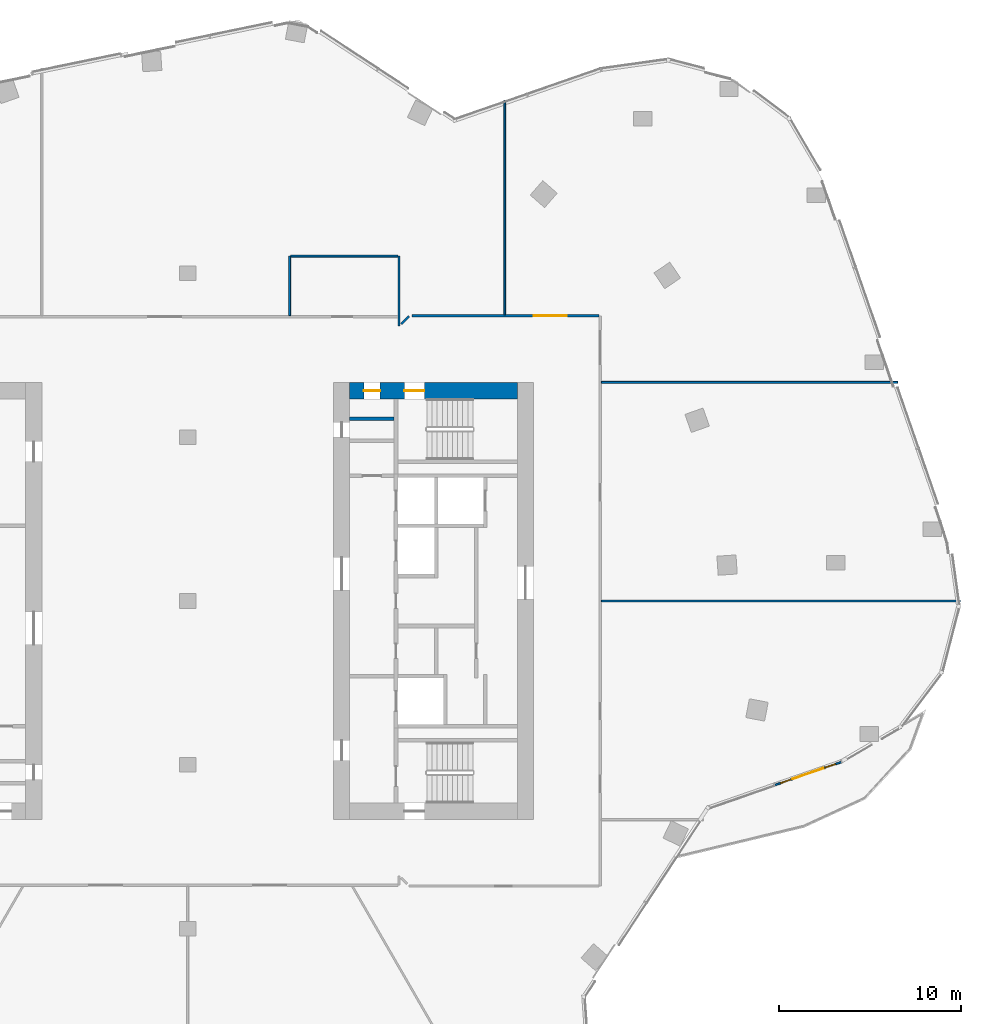
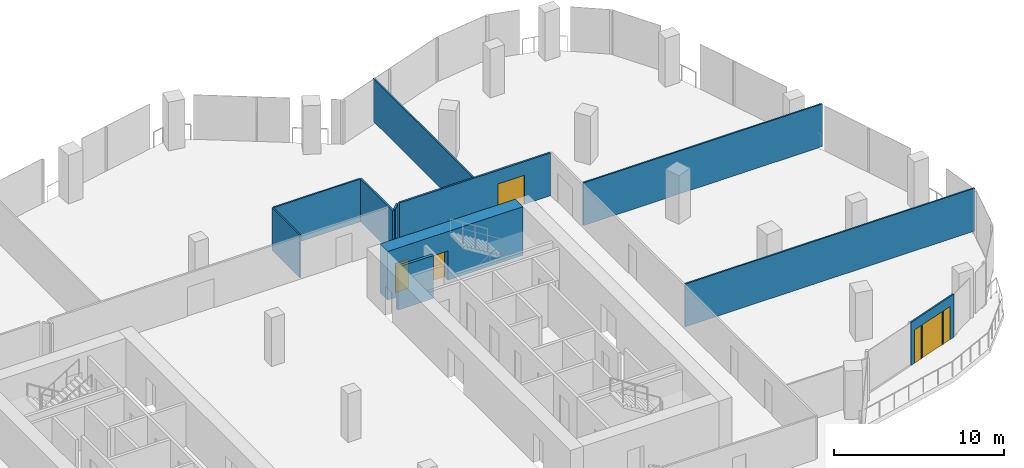
# One storey, part 20 of 26: 11 walls, 4 doors, 2 windows, 6 openings.
"""IFC4 building model written with IfcOpenShell, lengths in metres."""

from ifc_helpers import new_model, si_unit, direction, frame, frame_2d, origin, place, context, subcontext, project, spatial, rectangle, extrude, material, layer, layer_set, type_object, element, fill, save


model = new_model("IFC4")

# Units and contexts
model_context = context("Model", 3, precision=1e-05, world=origin(), true_north=direction((0.0, 1.0)))
body_context = subcontext(model_context, "Body", "Model", "MODEL_VIEW")
ifc_project = project(units=[si_unit("LENGTHUNIT", "METRE"), si_unit("AREAUNIT", "SQUARE_METRE"), si_unit("VOLUMEUNIT", "CUBIC_METRE"), si_unit("PLANEANGLEUNIT", "RADIAN"), si_unit("MASSUNIT", "GRAM", prefix="KILO")], contexts=[model_context])

# Site, building, storey
site_placement = place(None, origin())
site = spatial("IfcSite", under=ifc_project, at=site_placement, CompositionType="ELEMENT")
building_placement = place(site_placement, origin())
building = spatial("IfcBuilding", under=site, at=building_placement, Name="Orlundy Tower", CompositionType="ELEMENT")
storey_placement = place(building_placement, frame((0.0, 0.0, 232.0)))
storey = spatial("IfcBuildingStorey", under=building, at=storey_placement, Name="L61", CompositionType="ELEMENT", Elevation=232.0)

# Wall, openings, doors
ifc_material_1 = material(Name="Concrete C60/75", Category="concrete")
ifc_layer_1 = layer(ifc_material_1, 0.89990234375)
ifc_layer_set_1 = layer_set([ifc_layer_1], Name="CORE WALL 900 C60/75")
wall_type_1 = type_object("IfcWallType", Name="CORE WALL 900 C60/75", PredefinedType="SHEAR", material=ifc_layer_set_1)
wall_1_placement = place(storey_placement, frame((8.89990234375, 11.550048828125, 0.0), z_axis=(0.0, 0.0, 1.0), x_axis=(1.0, 0.0, 0.0)))
wall_1 = element("IfcWall", 1, at=wall_1_placement, inside=storey, type_object=wall_type_1, Name="Core wall E-N L61", PredefinedType="SHEAR", context=body_context, shape_type="SweptSolid", body=[
    extrude(rectangle(XDim=9.2001953125, YDim=0.89990234375, at=frame_2d((4.60009765625, 0.0))), origin(), (0.0, 0.0, 1.0), 3.5),
])
opening_1_placement = place(wall_1_placement, frame((3.0, 0.0, 0.0)))
opening_1 = element("IfcOpeningElement", 2, at=opening_1_placement, cuts=wall_1, Name="Opening 47061", PredefinedType="OPENING", context=body_context, shape_type="SweptSolid", body=[
    extrude(rectangle(XDim=1.10009765625, YDim=2.10009765625, at=frame_2d((0.550048828125, 1.050048828125))), frame((0.0, 0.4599609375, 0.0), z_axis=(0.0, -1.0, 0.0), x_axis=(1.0, 0.0, 0.0)), (0.0, 0.0, 1.0), 0.919921875),
])
opening_2_placement = place(wall_1_placement, frame((0.77001953125, 0.0, 0.0)))
opening_2 = element("IfcOpeningElement", 3, at=opening_2_placement, cuts=wall_1, Name="Opening 47063", PredefinedType="OPENING", context=body_context, shape_type="SweptSolid", body=[
    extrude(rectangle(XDim=0.89990234375, YDim=2.10009765625, at=frame_2d((0.449951171875, 1.050048828125))), frame((0.0, 0.4599609375, 0.0), z_axis=(0.0, -1.0, 0.0), x_axis=(1.0, 0.0, 0.0)), (0.0, 0.0, 1.0), 0.919921875),
])
ifc_material_2 = material(Name="Timber door set", Category="wood")
door_type_1 = type_object("IfcDoorType", Name="Room Door 900x2100", OperationType="SINGLE_SWING_LEFT", PredefinedType="DOOR", material=ifc_material_2)
door_1_placement = place(opening_2_placement, origin())
door_1 = element("IfcDoor", 4, at=door_1_placement, inside=storey, type_object=door_type_1, Name="Store door 47063", OperationType="SINGLE_SWING_LEFT", OverallHeight=2.10009765625, OverallWidth=0.89990234375, PredefinedType="DOOR", context=body_context, shape_type="SweptSolid", body=[
    extrude(rectangle(XDim=0.89990234375, YDim=2.10009765625, at=frame_2d((0.449951171875, 1.050048828125))), frame((0.0, 0.02490234375, 0.0), z_axis=(0.0, -1.0, 0.0), x_axis=(1.0, 0.0, 0.0)), (0.0, 0.0, 1.0), 0.050048828125),
])
fill(opening_2, door_1)
ifc_material_3 = material(Name="Steel door set", Category="steel")
door_type_2 = type_object("IfcDoorType", Name="Stair Door 1100x2100", OperationType="SINGLE_SWING_LEFT", PredefinedType="DOOR", material=ifc_material_3)
door_2_placement = place(opening_1_placement, origin())
door_2 = element("IfcDoor", 5, at=door_2_placement, inside=storey, type_object=door_type_2, Name="Stair door 47061", OperationType="SINGLE_SWING_LEFT", OverallHeight=2.10009765625, OverallWidth=1.10009765625, PredefinedType="DOOR", context=body_context, shape_type="SweptSolid", body=[
    extrude(rectangle(XDim=1.10009765625, YDim=2.10009765625, at=frame_2d((0.550048828125, 1.050048828125))), frame((0.0, 0.02490234375, 0.0), z_axis=(0.0, -1.0, 0.0), x_axis=(1.0, 0.0, 0.0)), (0.0, 0.0, 1.0), 0.050048828125),
])
fill(opening_1, door_2)

# Walls
ifc_material_4 = material(Name="Gypsum board partition")
ifc_layer_2 = layer(ifc_material_4, 0.10009765625)
ifc_layer_set_2 = layer_set([ifc_layer_2], Name="Floor partition 100")
wall_type_2 = type_object("IfcWallType", Name="Floor partition 100", PredefinedType="PARTITIONING", material=ifc_layer_set_2)
wall_2_placement = place(storey_placement, frame((22.712890625, 0.0, 0.0), z_axis=(0.0, 0.0, 1.0), x_axis=(1.0, 0.0, 0.0)))
element("IfcWall", 6, at=wall_2_placement, inside=storey, type_object=wall_type_2, Name="wall-int-L61-010", PredefinedType="PARTITIONING", context=body_context, shape_type="SweptSolid", body=[
    extrude(rectangle(XDim=19.711181640625, YDim=0.10009765625, at=frame_2d((9.85546875, 0.0))), origin(), (0.0, 0.0, 1.0), 3.080078125),
])
wall_3_placement = place(storey_placement, frame((22.712890625, 12.0, 0.0), z_axis=(0.0, 0.0, 1.0), x_axis=(1.0, 0.0, 0.0)))
element("IfcWall", 7, at=wall_3_placement, inside=storey, type_object=wall_type_2, Name="wall-int-L61-013", PredefinedType="PARTITIONING", context=body_context, shape_type="SweptSolid", body=[
    extrude(rectangle(XDim=16.257080078125, YDim=0.10009765625, at=frame_2d((8.12841796875, 0.0))), origin(), (0.0, 0.0, 1.0), 3.080078125),
])
wall_4_placement = place(storey_placement, frame((5.64892578125, 18.93310546875, 0.0), z_axis=(0.0, 0.0, 1.0), x_axis=(1.0, 0.0, 0.0)))
element("IfcWall", 8, at=wall_4_placement, inside=storey, type_object=wall_type_2, Name="wall-int-L61-017", PredefinedType="PARTITIONING", context=body_context, shape_type="SweptSolid", body=[
    extrude(rectangle(XDim=5.88818359375, YDim=0.10009765625, at=frame_2d((2.944091796875, 0.0))), origin(), (0.0, 0.0, 1.0), 3.080078125),
])
wall_5_placement = place(storey_placement, frame((17.405029296875, 15.712890625, 0.0), z_axis=(0.0, 0.0, 1.0), x_axis=(0.0, 1.0, 0.0)))
element("IfcWall", 9, at=wall_5_placement, inside=storey, type_object=wall_type_2, Name="wall-int-L61-023", PredefinedType="PARTITIONING", context=body_context, shape_type="SweptSolid", body=[
    extrude(rectangle(XDim=11.775146484375, YDim=0.10009765625, at=frame_2d((5.8876953125, 0.0))), origin(), (0.0, 0.0, 1.0), 3.080078125),
])
wall_6_placement = place(storey_placement, frame((5.59912109375, 15.6640625, 0.0), z_axis=(0.0, 0.0, 1.0), x_axis=(0.0, 1.0, 0.0)))
element("IfcWall", 10, at=wall_6_placement, inside=storey, type_object=wall_type_2, Name="wall-int-L61-026", PredefinedType="PARTITIONING", context=body_context, shape_type="SweptSolid", body=[
    extrude(rectangle(XDim=3.26904296875, YDim=0.10009765625, at=frame_2d((1.634521484375, 0.0))), origin(), (0.0, 0.0, 1.0), 3.080078125),
])

# Wall, opening, door
ifc_material_5 = material(Name="Gypsum board partition, double layer")
ifc_layer_3 = layer(ifc_material_5, 0.125)
ifc_layer_set_3 = layer_set([ifc_layer_3], Name="Floor partition 125")
wall_type_3 = type_object("IfcWallType", Name="Floor partition 125", PredefinedType="PARTITIONING", material=ifc_layer_set_3)
wall_7_placement = place(storey_placement, frame((12.31103515625, 15.65087890625, 0.0), z_axis=(0.0, 0.0, 1.0), x_axis=(1.0, 0.0, 0.0)))
wall_7 = element("IfcWall", 11, at=wall_7_placement, inside=storey, type_object=wall_type_3, Name="wall-int-L61-016", PredefinedType="PARTITIONING", context=body_context, shape_type="SweptSolid", body=[
    extrude(rectangle(XDim=10.27587890625, YDim=0.125, at=frame_2d((5.137939453125, 0.0))), origin(), (0.0, 0.0, 1.0), 3.080078125),
])
opening_3_placement = place(wall_7_placement, frame((6.694091796875, 0.0, 0.0)))
opening_3 = element("IfcOpeningElement", 12, at=opening_3_placement, cuts=wall_7, Name="Opening 47107", PredefinedType="OPENING", context=body_context, shape_type="SweptSolid", body=[
    extrude(rectangle(XDim=1.800048828125, YDim=2.10009765625, at=frame_2d((0.89990234375, 1.050048828125))), frame((0.0, 0.072509765625, 0.0), z_axis=(0.0, -1.0, 0.0), x_axis=(1.0, 0.0, 0.0)), (0.0, 0.0, 1.0), 0.14501953125),
])
ifc_material_6 = material(Name="Timber door leaf", Category="wood")
door_type_3 = type_object("IfcDoorType", Name="Floor door double 1800 FD30S", OperationType="NOTDEFINED", PredefinedType="DOOR", material=ifc_material_6)
door_3_placement = place(opening_3_placement, origin())
door_3 = element("IfcDoor", 13, at=door_3_placement, inside=storey, type_object=door_type_3, Name="Door 47107", OperationType="DOUBLE_DOOR_SINGLE_SWING", OverallHeight=2.10009765625, OverallWidth=1.800048828125, PredefinedType="DOOR", context=body_context, shape_type="SweptSolid", body=[
    extrude(rectangle(XDim=1.800048828125, YDim=2.10009765625, at=frame_2d((0.89990234375, 1.050048828125))), frame((0.0, 0.02490234375, 0.0), z_axis=(0.0, -1.0, 0.0), x_axis=(1.0, 0.0, 0.0)), (0.0, 0.0, 1.0), 0.050048828125),
])
fill(opening_3, door_3)

# Walls
wall_8_placement = place(storey_placement, frame((11.73193359375, 15.20703125, 0.0), z_axis=(0.0, 0.0, 1.0), x_axis=(0.707311769369, 0.706901733561, 0.0)))
element("IfcWall", 14, at=wall_8_placement, inside=storey, type_object=wall_type_3, Name="wall-int-L61-019", PredefinedType="PARTITIONING", context=body_context, shape_type="SweptSolid", body=[
    extrude(rectangle(XDim=0.595458984375, YDim=0.125, at=frame_2d((0.2978515625, 0.0))), origin(), (0.0, 0.0, 1.0), 3.080078125),
])
wall_9_placement = place(storey_placement, frame((11.60107421875, 15.092041015625, 0.0), z_axis=(0.0, 0.0, 1.0), x_axis=(0.0, 1.0, 0.0)))
element("IfcWall", 15, at=wall_9_placement, inside=storey, type_object=wall_type_3, Name="wall-int-L61-025", PredefinedType="PARTITIONING", context=body_context, shape_type="SweptSolid", body=[
    extrude(rectangle(XDim=3.83984375, YDim=0.125, at=frame_2d((1.919921875, 0.0))), origin(), (0.0, 0.0, 1.0), 3.080078125),
])

# Wall, openings, windows, door
ifc_material_7 = material(Name="Aluminium bronze and tinted glass", Category="aluminium")
ifc_layer_4 = layer(ifc_material_7, 0.10009765625)
ifc_layer_set_4 = layer_set([ifc_layer_4], Name="Glazed door screen")
wall_type_4 = type_object("IfcWallType", Name="Glazed door screen", PredefinedType="STANDARD", material=ifc_layer_set_4)
wall_10_placement = place(storey_placement, frame((35.88232421875, -8.83984375, 0.0), z_axis=(0.0, 0.0, 1.0), x_axis=(-0.944601748035, -0.328218734396, 0.0)))
wall_10 = element("IfcWall", 16, at=wall_10_placement, inside=storey, type_object=wall_type_4, Name="Glazed door screen", PredefinedType="STANDARD", context=body_context, shape_type="SweptSolid", body=[
    extrude(rectangle(XDim=3.858154296875, YDim=0.10009765625, at=frame_2d((1.92919921875, 0.0))), origin(), (0.0, 0.0, 1.0), 3.10009765625),
])
opening_4_placement = place(wall_10_placement, frame((1.036865234375, 0.0, 0.0)))
opening_4 = element("IfcOpeningElement", 17, at=opening_4_placement, cuts=wall_10, Name="Opening 47940", PredefinedType="OPENING", context=body_context, shape_type="SweptSolid", body=[
    extrude(rectangle(XDim=1.800048828125, YDim=2.39990234375, at=frame_2d((0.89990234375, 1.199951171875))), frame((0.0, 0.06005859375, 0.0), z_axis=(0.0, -1.0, 0.0), x_axis=(1.0, 0.0, 0.0)), (0.0, 0.0, 1.0), 0.1201171875),
])
opening_5_placement = place(wall_10_placement, frame((0.3369140625, 0.0, 0.0)))
opening_5 = element("IfcOpeningElement", 18, at=opening_5_placement, cuts=wall_10, Name="Opening W01", PredefinedType="OPENING", context=body_context, shape_type="SweptSolid", body=[
    extrude(rectangle(XDim=0.60009765625, YDim=2.39990234375, at=frame_2d((0.300048828125, 1.199951171875))), frame((0.0, 0.06005859375, 0.0), z_axis=(0.0, -1.0, 0.0), x_axis=(1.0, 0.0, 0.0)), (0.0, 0.0, 1.0), 0.1201171875),
])
opening_6_placement = place(wall_10_placement, frame((2.93701171875, 0.0, 0.0)))
opening_6 = element("IfcOpeningElement", 19, at=opening_6_placement, cuts=wall_10, Name="Opening W01", PredefinedType="OPENING", context=body_context, shape_type="SweptSolid", body=[
    extrude(rectangle(XDim=0.60009765625, YDim=2.39990234375, at=frame_2d((0.300048828125, 1.199951171875))), frame((0.0, 0.06005859375, 0.0), z_axis=(0.0, -1.0, 0.0), x_axis=(1.0, 0.0, 0.0)), (0.0, 0.0, 1.0), 0.1201171875),
])
ifc_material_8 = material(Name="Tinted glass in bronze aluminium frame", Category="aluminium")
window_type = type_object("IfcWindowType", Name="SL1 sidelight 600x2400", PartitioningType="SINGLE_PANEL", PredefinedType="WINDOW", material=ifc_material_8)
window_1_placement = place(opening_5_placement, origin())
window_1 = element("IfcWindow", 20, at=window_1_placement, inside=storey, type_object=window_type, Name="Window W01 L61", OverallHeight=2.39990234375, OverallWidth=0.60009765625, PartitioningType="SINGLE_PANEL", PredefinedType="WINDOW", context=body_context, shape_type="SweptSolid", body=[
    extrude(rectangle(XDim=0.60009765625, YDim=2.39990234375, at=frame_2d((0.300048828125, 1.199951171875))), frame((0.0, 0.030029296875, 0.0), z_axis=(0.0, -1.0, 0.0), x_axis=(1.0, 0.0, 0.0)), (0.0, 0.0, 1.0), 0.06005859375),
])
fill(opening_5, window_1)
window_2_placement = place(opening_6_placement, origin())
window_2 = element("IfcWindow", 21, at=window_2_placement, inside=storey, type_object=window_type, Name="Window W01 L61", OverallHeight=2.39990234375, OverallWidth=0.60009765625, PartitioningType="SINGLE_PANEL", PredefinedType="WINDOW", context=body_context, shape_type="SweptSolid", body=[
    extrude(rectangle(XDim=0.60009765625, YDim=2.39990234375, at=frame_2d((0.300048828125, 1.199951171875))), frame((0.0, 0.030029296875, 0.0), z_axis=(0.0, -1.0, 0.0), x_axis=(1.0, 0.0, 0.0)), (0.0, 0.0, 1.0), 0.06005859375),
])
fill(opening_6, window_2)
ifc_material_9 = material(Name="Aluminium bronze and tinted glass", Category="aluminium")
door_type_4 = type_object("IfcDoorType", Name="TD1 terrace door 1800x2400", OperationType="NOTDEFINED", PredefinedType="DOOR", material=ifc_material_9)
door_4_placement = place(opening_4_placement, origin())
door_4 = element("IfcDoor", 22, at=door_4_placement, inside=storey, type_object=door_type_4, Name="Door 47940", OperationType="DOUBLE_DOOR_SINGLE_SWING", OverallHeight=2.39990234375, OverallWidth=1.800048828125, PredefinedType="DOOR", context=body_context, shape_type="SweptSolid", body=[
    extrude(rectangle(XDim=1.800048828125, YDim=2.39990234375, at=frame_2d((0.89990234375, 1.199951171875))), frame((0.0, 0.02490234375, 0.0), z_axis=(0.0, -1.0, 0.0), x_axis=(1.0, 0.0, 0.0)), (0.0, 0.0, 1.0), 0.050048828125),
])
fill(opening_4, door_4)

# Wall
ifc_material_10 = material(Name="Gypsum board partition on steel studs", Category="steel")
ifc_layer_5 = layer(ifc_material_10, 0.199951171875)
ifc_layer_set_5 = layer_set([ifc_layer_5], Name="Partition 200")
wall_type_5 = type_object("IfcWallType", Name="Partition 200", PredefinedType="PARTITIONING", material=ifc_layer_set_5)
wall_11_placement = place(storey_placement, frame((8.89990234375, 10.0, 0.0), z_axis=(0.0, 0.0, 1.0), x_axis=(1.0, 0.0, 0.0)))
element("IfcWall", 23, at=wall_11_placement, inside=storey, type_object=wall_type_5, Name="Partition wall E47-room-s0", PredefinedType="PARTITIONING", context=body_context, shape_type="SweptSolid", body=[
    extrude(rectangle(XDim=2.440185546875, YDim=0.199951171875, at=frame_2d((1.22021484375, 0.0))), origin(), (0.0, 0.0, 1.0), 3.090087890625),
])

save(model, "model.ifc")
